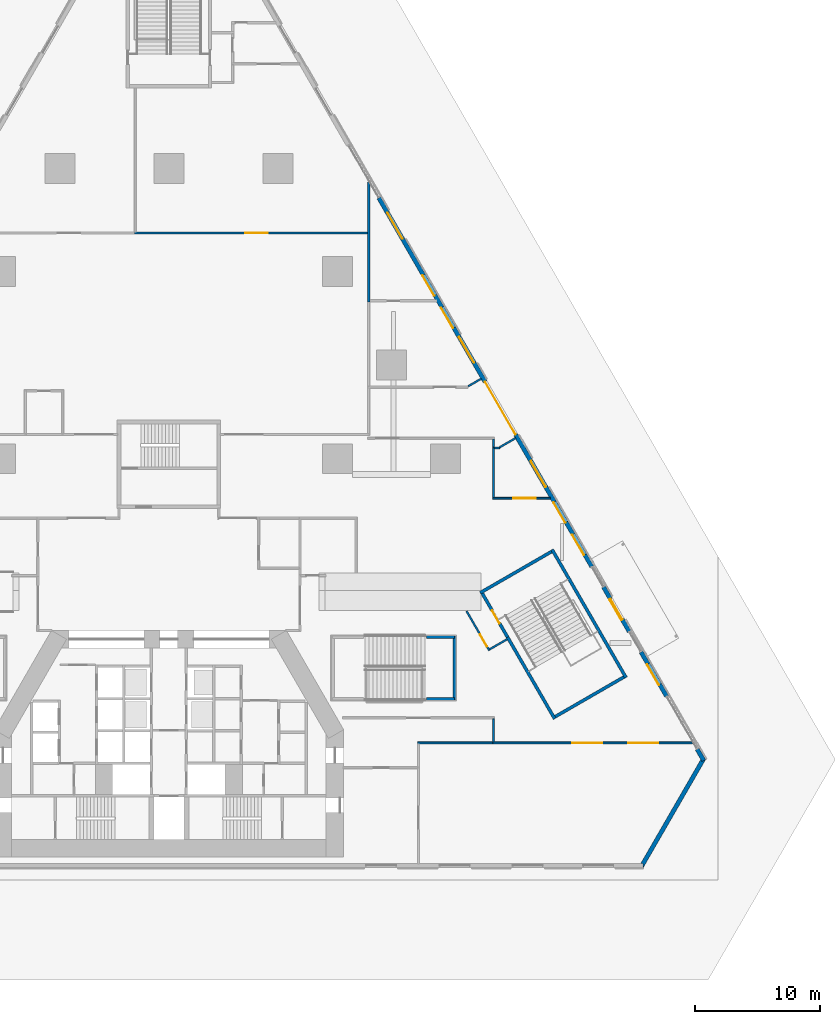
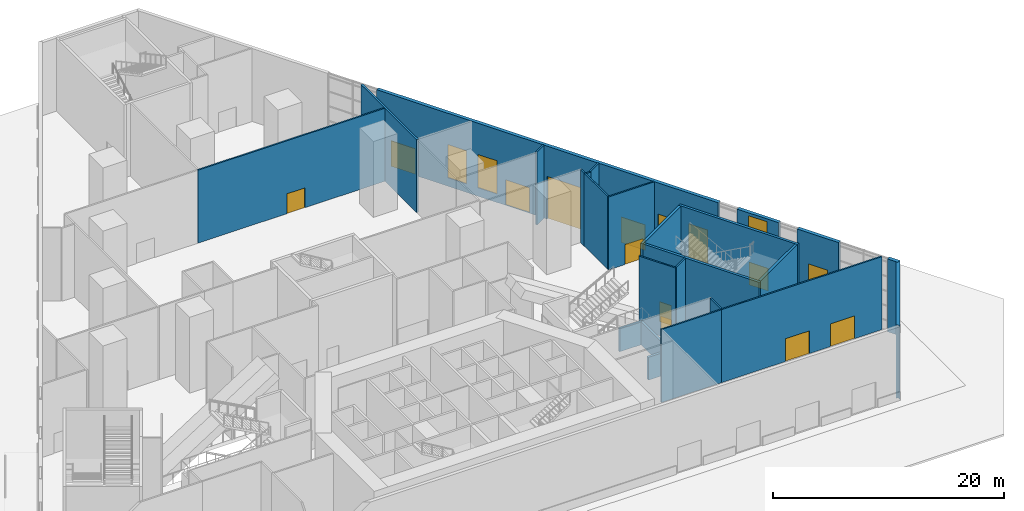
# One storey, part 17 of 24: 26 walls, 11 doors, 6 windows, 17 openings.
"""IFC4 building model written with IfcOpenShell, lengths in metres."""

from ifc_helpers import new_model, si_unit, direction, frame, frame_2d, origin, place, context, subcontext, project, spatial, polyline, rectangle, outline, extrude, material, layer, layer_set, type_object, element, fill, save


model = new_model("IFC4")

# Units and contexts
model_context = context("Model", 3, precision=1e-05, world=origin(), true_north=direction((0.0, 1.0)))
body_context = subcontext(model_context, "Body", "Model", "MODEL_VIEW")
ifc_project = project(units=[si_unit("LENGTHUNIT", "METRE"), si_unit("AREAUNIT", "SQUARE_METRE"), si_unit("VOLUMEUNIT", "CUBIC_METRE"), si_unit("PLANEANGLEUNIT", "RADIAN"), si_unit("MASSUNIT", "GRAM", prefix="KILO")], contexts=[model_context])

# Site, building, storey
site_placement = place(None, origin())
site = spatial("IfcSite", under=ifc_project, at=site_placement, CompositionType="ELEMENT")
building_placement = place(site_placement, origin())
building = spatial("IfcBuilding", under=site, at=building_placement, Name="Fogline Exchange Tower", CompositionType="ELEMENT")
storey_placement = place(building_placement, origin())
storey = spatial("IfcBuildingStorey", under=building, at=storey_placement, Name="L00", CompositionType="ELEMENT", Elevation=0.0)

# Walls
ifc_material_1 = material(Name="Brick masonry", Category="masonry")
ifc_layer_1 = layer(ifc_material_1, 0.340087890625)
ifc_layer_set_1 = layer_set([ifc_layer_1], Name="FW1")
wall_type_1 = type_object("IfcWallType", Name="FW1", PredefinedType="SOLIDWALL", material=ifc_layer_set_1)
wall_1_placement = place(storey_placement, origin())
element("IfcWall", 1, at=wall_1_placement, inside=storey, type_object=wall_type_1, Name="Brick wall L00 SE-c", PredefinedType="SOLIDWALL", context=body_context, shape_type="SweptSolid", body=[
    extrude(outline(polyline([(37.99951171875, -0.0009765625), (37.99951171875, 0.33935546875), (37.802734375, 0.33935546875), (42.607421875, 8.661376953125), (42.705810546875, 8.490966796875), (43.000732421875, 8.661376953125), (43.0009765625, 8.660888671875), (38.0, -0.001220703125), (37.99951171875, -0.0009765625)])), origin(), (0.0, 0.0, 1.0), 7.699951171875),
])
wall_2_placement = place(storey_placement, frame((42.852783203125, 8.5751953125, 0.0), z_axis=(0.0, 0.0, 1.0), x_axis=(-0.500062184469, 0.865989498588, 0.0)))
element("IfcWall", 2, at=wall_2_placement, inside=storey, type_object=wall_type_1, Name="Brick wall L00 E bay 1", PredefinedType="SOLIDWALL", context=body_context, shape_type="SweptSolid", body=[
    extrude(rectangle(XDim=1.057373046875, YDim=0.340087890625, at=frame_2d((0.52880859375, 0.0))), origin(), (0.0, 0.0, 1.0), 7.699951171875),
])

# Wall, opening, window
wall_3_placement = place(storey_placement, frame((39.881591796875, 13.7216796875, 0.0), z_axis=(0.0, 0.0, 1.0), x_axis=(-0.500018604663, 0.866014662111, 0.0)))
wall_3 = element("IfcWall", 3, at=wall_3_placement, inside=storey, type_object=wall_type_1, Name="Brick wall L00 E bay 2", PredefinedType="SOLIDWALL", context=body_context, shape_type="SweptSolid", body=[
    extrude(rectangle(XDim=4.114990234375, YDim=0.340087890625, at=frame_2d((2.0576171875, 0.0))), origin(), (0.0, 0.0, 1.0), 7.699951171875),
])
opening_1_placement = place(wall_3_placement, frame((1.114990234375, 0.0, 0.89990234375)))
opening_1 = element("IfcOpeningElement", 4, at=opening_1_placement, cuts=wall_3, Name="Opening W7", PredefinedType="OPENING", context=body_context, shape_type="SweptSolid", body=[
    extrude(rectangle(XDim=1.885009765625, YDim=3.5, at=frame_2d((0.9423828125, 1.75))), frame((0.0, 0.18017578125, 0.0), z_axis=(0.0, -1.0, 0.0), x_axis=(1.0, 0.0, 0.0)), (0.0, 0.0, 1.0), 0.360107421875),
])
ifc_material_2 = material(Name="Aluminium and glass", Category="aluminium")
window_type_1 = type_object("IfcWindowType", Name="W7", PartitioningType="SINGLE_PANEL", PredefinedType="WINDOW", material=ifc_material_2)
window_1_placement = place(opening_1_placement, origin())
window_1 = element("IfcWindow", 5, at=window_1_placement, inside=storey, type_object=window_type_1, Name="W7 W7", OverallHeight=3.5, OverallWidth=1.885009765625, PartitioningType="SINGLE_PANEL", PredefinedType="WINDOW", context=body_context, shape_type="SweptSolid", body=[
    extrude(rectangle(XDim=1.885009765625, YDim=3.5, at=frame_2d((0.9423828125, 1.75))), frame((0.0, 0.110107421875, 0.0), z_axis=(0.0, -1.0, 0.0), x_axis=(1.0, 0.0, 0.0)), (0.0, 0.0, 1.0), 0.06005859375),
])
fill(opening_1, window_1)

# Wall, openings, door, window
wall_4_placement = place(storey_placement, frame((36.881591796875, 18.917724609375, 0.0), z_axis=(0.0, 0.0, 1.0), x_axis=(-0.500018604663, 0.866014662111, 0.0)))
wall_4 = element("IfcWall", 6, at=wall_4_placement, inside=storey, type_object=wall_type_1, Name="Brick wall L00 E bay 3", PredefinedType="SOLIDWALL", context=body_context, shape_type="SweptSolid", body=[
    extrude(rectangle(XDim=4.114990234375, YDim=0.340087890625, at=frame_2d((2.0576171875, 0.0))), origin(), (0.0, 0.0, 1.0), 7.699951171875),
])
opening_2_placement = place(wall_4_placement, frame((1.114990234375, 0.0, 0.0)))
opening_2 = element("IfcOpeningElement", 7, at=opening_2_placement, cuts=wall_4, Name="Opening P00-E031", PredefinedType="OPENING", context=body_context, shape_type="SweptSolid", body=[
    extrude(rectangle(XDim=1.885009765625, YDim=2.39990234375, at=frame_2d((0.9423828125, 1.199951171875))), frame((0.0, 0.18017578125, 0.0), z_axis=(0.0, -1.0, 0.0), x_axis=(1.0, 0.0, 0.0)), (0.0, 0.0, 1.0), 0.360107421875),
])
opening_3_placement = place(wall_4_placement, frame((1.114990234375, 0.0, 2.60009765625)))
opening_3 = element("IfcOpeningElement", 8, at=opening_3_placement, cuts=wall_4, Name="Opening W8", PredefinedType="OPENING", context=body_context, shape_type="SweptSolid", body=[
    extrude(rectangle(XDim=1.885009765625, YDim=4.800048828125, at=frame_2d((0.9423828125, 2.39990234375))), frame((0.0, 0.18017578125, 0.0), z_axis=(0.0, -1.0, 0.0), x_axis=(1.0, 0.0, 0.0)), (0.0, 0.0, 1.0), 0.360107421875),
])
door_type_1 = type_object("IfcDoorType", Name="ED1", OperationType="SINGLE_SWING_LEFT", PredefinedType="DOOR", material=ifc_material_2)
door_1_placement = place(opening_2_placement, frame((1.885009765625, 0.0, 0.0), z_axis=(0.0, 0.0, 1.0), x_axis=(-1.0, 0.0, 0.0)))
door_1 = element("IfcDoor", 9, at=door_1_placement, inside=storey, type_object=door_type_1, Name="Entrance door ST-E", OperationType="DOUBLE_DOOR_SINGLE_SWING", OverallHeight=2.39990234375, OverallWidth=1.885009765625, PredefinedType="DOOR", context=body_context, shape_type="SweptSolid", body=[
    extrude(rectangle(XDim=1.885009765625, YDim=2.39990234375, at=frame_2d((0.9423828125, 1.199951171875))), frame((0.0, 0.02490234375, 0.0), z_axis=(0.0, -1.0, 0.0), x_axis=(1.0, 0.0, 0.0)), (0.0, 0.0, 1.0), 0.050048828125),
])
fill(opening_2, door_1)
window_type_2 = type_object("IfcWindowType", Name="W8", PartitioningType="SINGLE_PANEL", PredefinedType="WINDOW", material=ifc_material_2)
window_2_placement = place(opening_3_placement, origin())
window_2 = element("IfcWindow", 10, at=window_2_placement, inside=storey, type_object=window_type_2, Name="W8 W8", OverallHeight=4.800048828125, OverallWidth=1.885009765625, PartitioningType="SINGLE_PANEL", PredefinedType="WINDOW", context=body_context, shape_type="SweptSolid", body=[
    extrude(rectangle(XDim=1.885009765625, YDim=4.800048828125, at=frame_2d((0.9423828125, 2.39990234375))), frame((0.0, 0.110107421875, 0.0), z_axis=(0.0, -1.0, 0.0), x_axis=(1.0, 0.0, 0.0)), (0.0, 0.0, 1.0), 0.06005859375),
])
fill(opening_3, window_2)

# Wall, openings, doors, windows
wall_5_placement = place(storey_placement, frame((33.881591796875, 24.114013671875, 0.0), z_axis=(0.0, 0.0, 1.0), x_axis=(-0.500002868947, 0.866023747391, 0.0)))
wall_5 = element("IfcWall", 11, at=wall_5_placement, inside=storey, type_object=wall_type_1, Name="Brick wall L00 E bay 4", PredefinedType="SOLIDWALL", context=body_context, shape_type="SweptSolid", body=[
    extrude(rectangle(XDim=34.114990234375, YDim=0.340087890625, at=frame_2d((17.0576171875, 0.0))), origin(), (0.0, 0.0, 1.0), 7.699951171875),
])
opening_4_placement = place(wall_5_placement, frame((1.114990234375, 0.0, 0.89990234375)))
opening_4 = element("IfcOpeningElement", 12, at=opening_4_placement, cuts=wall_5, Name="Opening W7", PredefinedType="OPENING", context=body_context, shape_type="SweptSolid", body=[
    extrude(rectangle(XDim=1.885009765625, YDim=3.5, at=frame_2d((0.9423828125, 1.75))), frame((0.0, 0.18017578125, 0.0), z_axis=(0.0, -1.0, 0.0), x_axis=(1.0, 0.0, 0.0)), (0.0, 0.0, 1.0), 0.360107421875),
])
opening_5_placement = place(wall_5_placement, frame((4.114990234375, 0.0, 0.89990234375)))
opening_5 = element("IfcOpeningElement", 13, at=opening_5_placement, cuts=wall_5, Name="Opening W7", PredefinedType="OPENING", context=body_context, shape_type="SweptSolid", body=[
    extrude(rectangle(XDim=1.885009765625, YDim=3.5, at=frame_2d((0.9423828125, 1.75))), frame((0.0, 0.18017578125, 0.0), z_axis=(0.0, -1.0, 0.0), x_axis=(1.0, 0.0, 0.0)), (0.0, 0.0, 1.0), 0.360107421875),
])
opening_6_placement = place(wall_5_placement, frame((22.114990234375, 0.0, 0.89990234375)))
opening_6 = element("IfcOpeningElement", 14, at=opening_6_placement, cuts=wall_5, Name="Opening W7", PredefinedType="OPENING", context=body_context, shape_type="SweptSolid", body=[
    extrude(rectangle(XDim=1.885009765625, YDim=3.5, at=frame_2d((0.9423828125, 1.75))), frame((0.0, 0.18017578125, 0.0), z_axis=(0.0, -1.0, 0.0), x_axis=(1.0, 0.0, 0.0)), (0.0, 0.0, 1.0), 0.360107421875),
])
opening_7_placement = place(wall_5_placement, frame((25.114990234375, 0.0, 0.89990234375)))
opening_7 = element("IfcOpeningElement", 15, at=opening_7_placement, cuts=wall_5, Name="Opening W7", PredefinedType="OPENING", context=body_context, shape_type="SweptSolid", body=[
    extrude(rectangle(XDim=1.885009765625, YDim=3.5, at=frame_2d((0.9423828125, 1.75))), frame((0.0, 0.18017578125, 0.0), z_axis=(0.0, -1.0, 0.0), x_axis=(1.0, 0.0, 0.0)), (0.0, 0.0, 1.0), 0.360107421875),
])
opening_8_placement = place(wall_5_placement, frame((7.37841796875, 0.0, 0.0)))
opening_8 = element("IfcOpeningElement", 16, at=opening_8_placement, cuts=wall_5, Name="Opening P00-E032", PredefinedType="OPENING", context=body_context, shape_type="SweptSolid", body=[
    extrude(rectangle(XDim=2.39990234375, YDim=2.699951171875, at=frame_2d((1.199951171875, 1.35009765625))), frame((0.0, 0.18017578125, 0.0), z_axis=(0.0, -1.0, 0.0), x_axis=(1.0, 0.0, 0.0)), (0.0, 0.0, 1.0), 0.360107421875),
])
opening_9_placement = place(wall_5_placement, frame((18.857421875, 0.0, 0.0)))
opening_9 = element("IfcOpeningElement", 17, at=opening_9_placement, cuts=wall_5, Name="Opening P00-E033", PredefinedType="OPENING", context=body_context, shape_type="SweptSolid", body=[
    extrude(rectangle(XDim=2.39990234375, YDim=2.699951171875, at=frame_2d((1.199951171875, 1.35009765625))), frame((0.0, 0.18017578125, 0.0), z_axis=(0.0, -1.0, 0.0), x_axis=(1.0, 0.0, 0.0)), (0.0, 0.0, 1.0), 0.360107421875),
])
opening_10_placement = place(wall_5_placement, frame((30.33642578125, 0.0, 0.0)))
opening_10 = element("IfcOpeningElement", 18, at=opening_10_placement, cuts=wall_5, Name="Opening P00-E034", PredefinedType="OPENING", context=body_context, shape_type="SweptSolid", body=[
    extrude(rectangle(XDim=2.39990234375, YDim=2.699951171875, at=frame_2d((1.199951171875, 1.35009765625))), frame((0.0, 0.18017578125, 0.0), z_axis=(0.0, -1.0, 0.0), x_axis=(1.0, 0.0, 0.0)), (0.0, 0.0, 1.0), 0.360107421875),
])
opening_11_placement = place(wall_5_placement, frame((12.215087890625, 0.0, 0.0)))
opening_11 = element("IfcOpeningElement", 19, at=opening_11_placement, cuts=wall_5, Name="Opening P00-E035", PredefinedType="OPENING", context=body_context, shape_type="SweptSolid", body=[
    extrude(rectangle(XDim=4.885009765625, YDim=4.5, at=frame_2d((2.4423828125, 2.25))), frame((0.0, 0.18017578125, 0.0), z_axis=(0.0, -1.0, 0.0), x_axis=(1.0, 0.0, 0.0)), (0.0, 0.0, 1.0), 0.360107421875),
])
ifc_material_3 = material(Name="Steel Q235B", Category="steel")
door_type_2 = type_object("IfcDoorType", Name="ED3", OperationType="SINGLE_SWING_LEFT", PredefinedType="GATE", material=ifc_material_3)
door_2_placement = place(opening_11_placement, frame((4.885009765625, 0.0, 0.0), z_axis=(0.0, 0.0, 1.0), x_axis=(-1.0, 0.0, 0.0)))
door_2 = element("IfcDoor", 20, at=door_2_placement, inside=storey, type_object=door_type_2, Name="Loading door", OperationType="ROLLINGUP", OverallHeight=4.5, OverallWidth=4.885009765625, PredefinedType="GATE", context=body_context, shape_type="SweptSolid", body=[
    extrude(rectangle(XDim=4.885009765625, YDim=4.5, at=frame_2d((2.4423828125, 2.25))), frame((0.0, 0.02490234375, 0.0), z_axis=(0.0, -1.0, 0.0), x_axis=(1.0, 0.0, 0.0)), (0.0, 0.0, 1.0), 0.050048828125),
])
fill(opening_11, door_2)
door_type_3 = type_object("IfcDoorType", Name="ED6", OperationType="SINGLE_SWING_LEFT", PredefinedType="DOOR", material=ifc_material_2)
door_3_placement = place(opening_8_placement, frame((2.39990234375, 0.0, 0.0), z_axis=(0.0, 0.0, 1.0), x_axis=(-1.0, 0.0, 0.0)))
door_3 = element("IfcDoor", 21, at=door_3_placement, inside=storey, type_object=door_type_3, Name="Exit door L00 E", OperationType="DOUBLE_DOOR_SINGLE_SWING", OverallHeight=2.699951171875, OverallWidth=2.39990234375, PredefinedType="DOOR", context=body_context, shape_type="SweptSolid", body=[
    extrude(rectangle(XDim=2.39990234375, YDim=2.699951171875, at=frame_2d((1.199951171875, 1.35009765625))), frame((0.0, 0.02490234375, 0.0), z_axis=(0.0, -1.0, 0.0), x_axis=(1.0, 0.0, 0.0)), (0.0, 0.0, 1.0), 0.050048828125),
])
fill(opening_8, door_3)
door_4_placement = place(opening_9_placement, frame((2.39990234375, 0.0, 0.0), z_axis=(0.0, 0.0, 1.0), x_axis=(-1.0, 0.0, 0.0)))
door_4 = element("IfcDoor", 22, at=door_4_placement, inside=storey, type_object=door_type_3, Name="Exit door L00 E", OperationType="DOUBLE_DOOR_SINGLE_SWING", OverallHeight=2.699951171875, OverallWidth=2.39990234375, PredefinedType="DOOR", context=body_context, shape_type="SweptSolid", body=[
    extrude(rectangle(XDim=2.39990234375, YDim=2.699951171875, at=frame_2d((1.199951171875, 1.35009765625))), frame((0.0, 0.02490234375, 0.0), z_axis=(0.0, -1.0, 0.0), x_axis=(1.0, 0.0, 0.0)), (0.0, 0.0, 1.0), 0.050048828125),
])
fill(opening_9, door_4)
door_5_placement = place(opening_10_placement, frame((2.39990234375, 0.0, 0.0), z_axis=(0.0, 0.0, 1.0), x_axis=(-1.0, 0.0, 0.0)))
door_5 = element("IfcDoor", 23, at=door_5_placement, inside=storey, type_object=door_type_3, Name="Exit door L00 E", OperationType="DOUBLE_DOOR_SINGLE_SWING", OverallHeight=2.699951171875, OverallWidth=2.39990234375, PredefinedType="DOOR", context=body_context, shape_type="SweptSolid", body=[
    extrude(rectangle(XDim=2.39990234375, YDim=2.699951171875, at=frame_2d((1.199951171875, 1.35009765625))), frame((0.0, 0.02490234375, 0.0), z_axis=(0.0, -1.0, 0.0), x_axis=(1.0, 0.0, 0.0)), (0.0, 0.0, 1.0), 0.050048828125),
])
fill(opening_10, door_5)
window_3_placement = place(opening_4_placement, origin())
window_3 = element("IfcWindow", 24, at=window_3_placement, inside=storey, type_object=window_type_1, Name="W7 W7", OverallHeight=3.5, OverallWidth=1.885009765625, PartitioningType="SINGLE_PANEL", PredefinedType="WINDOW", context=body_context, shape_type="SweptSolid", body=[
    extrude(rectangle(XDim=1.885009765625, YDim=3.5, at=frame_2d((0.9423828125, 1.75))), frame((0.0, 0.110107421875, 0.0), z_axis=(0.0, -1.0, 0.0), x_axis=(1.0, 0.0, 0.0)), (0.0, 0.0, 1.0), 0.06005859375),
])
fill(opening_4, window_3)
window_4_placement = place(opening_5_placement, origin())
window_4 = element("IfcWindow", 25, at=window_4_placement, inside=storey, type_object=window_type_1, Name="W7 W7", OverallHeight=3.5, OverallWidth=1.885009765625, PartitioningType="SINGLE_PANEL", PredefinedType="WINDOW", context=body_context, shape_type="SweptSolid", body=[
    extrude(rectangle(XDim=1.885009765625, YDim=3.5, at=frame_2d((0.9423828125, 1.75))), frame((0.0, 0.110107421875, 0.0), z_axis=(0.0, -1.0, 0.0), x_axis=(1.0, 0.0, 0.0)), (0.0, 0.0, 1.0), 0.06005859375),
])
fill(opening_5, window_4)
window_5_placement = place(opening_6_placement, origin())
window_5 = element("IfcWindow", 26, at=window_5_placement, inside=storey, type_object=window_type_1, Name="W7 W7", OverallHeight=3.5, OverallWidth=1.885009765625, PartitioningType="SINGLE_PANEL", PredefinedType="WINDOW", context=body_context, shape_type="SweptSolid", body=[
    extrude(rectangle(XDim=1.885009765625, YDim=3.5, at=frame_2d((0.9423828125, 1.75))), frame((0.0, 0.110107421875, 0.0), z_axis=(0.0, -1.0, 0.0), x_axis=(1.0, 0.0, 0.0)), (0.0, 0.0, 1.0), 0.06005859375),
])
fill(opening_6, window_5)
window_6_placement = place(opening_7_placement, origin())
window_6 = element("IfcWindow", 27, at=window_6_placement, inside=storey, type_object=window_type_1, Name="W7 W7", OverallHeight=3.5, OverallWidth=1.885009765625, PartitioningType="SINGLE_PANEL", PredefinedType="WINDOW", context=body_context, shape_type="SweptSolid", body=[
    extrude(rectangle(XDim=1.885009765625, YDim=3.5, at=frame_2d((0.9423828125, 1.75))), frame((0.0, 0.110107421875, 0.0), z_axis=(0.0, -1.0, 0.0), x_axis=(1.0, 0.0, 0.0)), (0.0, 0.0, 1.0), 0.06005859375),
])
fill(opening_7, window_6)

# Wall
ifc_material_4 = material(Name="Plasterboard on steel stud", Category="steel")
ifc_layer_2 = layer(ifc_material_4, 0.14990234375)
ifc_layer_set_2 = layer_set([ifc_layer_2], Name="PP1")
wall_type_2 = type_object("IfcWallType", Name="PP1", PredefinedType="PARTITIONING", material=ifc_layer_set_2)
wall_6_placement = place(storey_placement, frame((19.925048828125, 10.0, 0.0), z_axis=(0.0, 0.0, 1.0), x_axis=(1.0, 0.0, 0.0)))
element("IfcWall", 28, at=wall_6_placement, inside=storey, type_object=wall_type_2, Name="PP1 partition", PredefinedType="PARTITIONING", context=body_context, shape_type="SweptSolid", body=[
    extrude(rectangle(XDim=6.0, YDim=0.14990234375, at=frame_2d((3.0, 0.0))), origin(), (0.0, 0.0, 1.0), 7.699951171875),
])

# Wall, openings, doors
wall_7_placement = place(storey_placement, frame((25.925048828125, 10.0, 0.0), z_axis=(0.0, 0.0, 1.0), x_axis=(1.0, 0.0, 0.0)))
wall_7 = element("IfcWall", 29, at=wall_7_placement, inside=storey, type_object=wall_type_2, Name="PP1 partition", PredefinedType="PARTITIONING", context=body_context, shape_type="SweptSolid", body=[
    extrude(rectangle(XDim=16.0185546875, YDim=0.14990234375, at=frame_2d((8.00927734375, 0.0))), origin(), (0.0, 0.0, 1.0), 7.699951171875),
])
opening_12_placement = place(wall_7_placement, frame((10.875, 0.0, 0.0)))
opening_12 = element("IfcOpeningElement", 30, at=opening_12_placement, cuts=wall_7, Name="Opening P00-D016", PredefinedType="OPENING", context=body_context, shape_type="SweptSolid", body=[
    extrude(rectangle(XDim=2.39990234375, YDim=2.39990234375, at=frame_2d((1.199951171875, 1.199951171875))), frame((0.0, 0.0849609375, 0.0), z_axis=(0.0, -1.0, 0.0), x_axis=(1.0, 0.0, 0.0)), (0.0, 0.0, 1.0), 0.169921875),
])
opening_13_placement = place(wall_7_placement, frame((6.375, 0.0, 0.0)))
opening_13 = element("IfcOpeningElement", 31, at=opening_13_placement, cuts=wall_7, Name="Opening P00-D017", PredefinedType="OPENING", context=body_context, shape_type="SweptSolid", body=[
    extrude(rectangle(XDim=2.39990234375, YDim=2.39990234375, at=frame_2d((1.199951171875, 1.199951171875))), frame((0.0, 0.0849609375, 0.0), z_axis=(0.0, -1.0, 0.0), x_axis=(1.0, 0.0, 0.0)), (0.0, 0.0, 1.0), 0.169921875),
])
ifc_material_5 = material(Name="Glass", Category="glass")
door_type_4 = type_object("IfcDoorType", Name="PD4", OperationType="DOUBLE_DOOR_SLIDING", PredefinedType="DOOR", material=ifc_material_5)
door_6_placement = place(opening_12_placement, origin())
door_6 = element("IfcDoor", 32, at=door_6_placement, inside=storey, type_object=door_type_4, Name="P00-D016", OperationType="DOUBLE_DOOR_SLIDING", OverallHeight=2.39990234375, OverallWidth=2.39990234375, PredefinedType="DOOR", context=body_context, shape_type="SweptSolid", body=[
    extrude(rectangle(XDim=2.39990234375, YDim=2.39990234375, at=frame_2d((1.199951171875, 1.199951171875))), frame((0.0, 0.02490234375, 0.0), z_axis=(0.0, -1.0, 0.0), x_axis=(1.0, 0.0, 0.0)), (0.0, 0.0, 1.0), 0.050048828125),
])
fill(opening_12, door_6)
door_7_placement = place(opening_13_placement, origin())
door_7 = element("IfcDoor", 33, at=door_7_placement, inside=storey, type_object=door_type_4, Name="P00-D017", OperationType="DOUBLE_DOOR_SLIDING", OverallHeight=2.39990234375, OverallWidth=2.39990234375, PredefinedType="DOOR", context=body_context, shape_type="SweptSolid", body=[
    extrude(rectangle(XDim=2.39990234375, YDim=2.39990234375, at=frame_2d((1.199951171875, 1.199951171875))), frame((0.0, 0.02490234375, 0.0), z_axis=(0.0, -1.0, 0.0), x_axis=(1.0, 0.0, 0.0)), (0.0, 0.0, 1.0), 0.050048828125),
])
fill(opening_13, door_7)

# Wall
wall_8_placement = place(storey_placement, frame((26.0, 11.925048828125, 0.0), z_axis=(0.0, 0.0, 1.0), x_axis=(0.0, -1.0, 0.0)))
element("IfcWall", 34, at=wall_8_placement, inside=storey, type_object=wall_type_2, Name="PP1 partition", PredefinedType="PARTITIONING", context=body_context, shape_type="SweptSolid", body=[
    extrude(rectangle(XDim=1.85009765625, YDim=0.14990234375, at=frame_2d((0.925048828125, 0.0))), origin(), (0.0, 0.0, 1.0), 7.699951171875),
])

# Wall, opening, door
wall_9_placement = place(storey_placement, frame((25.673095703125, 17.391845703125, 0.0), z_axis=(0.0, 0.0, 1.0), x_axis=(-0.499958946799, 0.866049104564, 0.0)))
wall_9 = element("IfcWall", 35, at=wall_9_placement, inside=storey, type_object=wall_type_2, Name="PP1 partition", PredefinedType="PARTITIONING", context=body_context, shape_type="SweptSolid", body=[
    extrude(rectangle(XDim=3.663818359375, YDim=0.14990234375, at=frame_2d((1.83203125, 0.0))), origin(), (0.0, 0.0, 1.0), 7.699951171875),
])
opening_14_placement = place(wall_9_placement, frame((0.3818359375, 0.0, 0.0)))
opening_14 = element("IfcOpeningElement", 36, at=opening_14_placement, cuts=wall_9, Name="Opening P00-D005", PredefinedType="OPENING", context=body_context, shape_type="SweptSolid", body=[
    extrude(rectangle(XDim=1.10009765625, YDim=2.10009765625, at=frame_2d((0.550048828125, 1.050048828125))), frame((0.0, 0.0849609375, 0.0), z_axis=(0.0, -1.0, 0.0), x_axis=(1.0, 0.0, 0.0)), (0.0, 0.0, 1.0), 0.169921875),
])
door_type_5 = type_object("IfcDoorType", Name="PD5", OperationType="SINGLE_SWING_LEFT", PredefinedType="DOOR", material=ifc_material_3)
door_8_placement = place(opening_14_placement, origin())
door_8 = element("IfcDoor", 37, at=door_8_placement, inside=storey, type_object=door_type_5, Name="P00-D005", OperationType="SINGLE_SWING_LEFT", OverallHeight=2.10009765625, OverallWidth=1.10009765625, PredefinedType="DOOR", context=body_context, shape_type="SweptSolid", body=[
    extrude(rectangle(XDim=1.10009765625, YDim=2.10009765625, at=frame_2d((0.550048828125, 1.050048828125))), frame((0.0, 0.02490234375, 0.0), z_axis=(0.0, -1.0, 0.0), x_axis=(1.0, 0.0, 0.0)), (0.0, 0.0, 1.0), 0.050048828125),
])
fill(opening_14, door_8)

# Wall
wall_10_placement = place(storey_placement, frame((27.086669921875, 18.29443359375, 0.0), z_axis=(0.0, 0.0, 1.0), x_axis=(-0.866066190972, -0.499929347863, 0.0)))
element("IfcWall", 38, at=wall_10_placement, inside=storey, type_object=wall_type_2, Name="PP1 partition", PredefinedType="PARTITIONING", context=body_context, shape_type="SweptSolid", body=[
    extrude(rectangle(XDim=1.600341796875, YDim=0.14990234375, at=frame_2d((0.80029296875, 0.0))), origin(), (0.0, 0.0, 1.0), 7.699951171875),
])

# Wall, opening, door
wall_11_placement = place(storey_placement, frame((30.55810546875, 29.60009765625, 0.0), z_axis=(0.0, 0.0, 1.0), x_axis=(-1.0, 0.0, 0.0)))
wall_11 = element("IfcWall", 39, at=wall_11_placement, inside=storey, type_object=wall_type_2, Name="PP1 partition", PredefinedType="PARTITIONING", context=body_context, shape_type="SweptSolid", body=[
    extrude(rectangle(XDim=4.633056640625, YDim=0.14990234375, at=frame_2d((2.31640625, 0.0))), origin(), (0.0, 0.0, 1.0), 7.699951171875),
])
opening_15_placement = place(wall_11_placement, frame((1.158203125, 0.0, 0.0)))
opening_15 = element("IfcOpeningElement", 40, at=opening_15_placement, cuts=wall_11, Name="Opening P00-D037", PredefinedType="OPENING", context=body_context, shape_type="SweptSolid", body=[
    extrude(rectangle(XDim=1.800048828125, YDim=2.10009765625, at=frame_2d((0.89990234375, 1.050048828125))), frame((0.0, 0.0849609375, 0.0), z_axis=(0.0, -1.0, 0.0), x_axis=(1.0, 0.0, 0.0)), (0.0, 0.0, 1.0), 0.169921875),
])
ifc_material_6 = material(Name="Timber", Category="wood")
door_type_6 = type_object("IfcDoorType", Name="PD3", OperationType="DOUBLE_DOOR_SINGLE_SWING", PredefinedType="DOOR", material=ifc_material_6)
door_9_placement = place(opening_15_placement, frame((1.800048828125, 0.0, 0.0), z_axis=(0.0, 0.0, 1.0), x_axis=(-1.0, 0.0, 0.0)))
door_9 = element("IfcDoor", 41, at=door_9_placement, inside=storey, type_object=door_type_6, Name="P00-D037", OperationType="DOUBLE_DOOR_SINGLE_SWING", OverallHeight=2.10009765625, OverallWidth=1.800048828125, PredefinedType="DOOR", context=body_context, shape_type="SweptSolid", body=[
    extrude(rectangle(XDim=1.800048828125, YDim=2.10009765625, at=frame_2d((0.89990234375, 1.050048828125))), frame((0.0, 0.02490234375, 0.0), z_axis=(0.0, -1.0, 0.0), x_axis=(1.0, 0.0, 0.0)), (0.0, 0.0, 1.0), 0.050048828125),
])
fill(opening_15, door_9)

# Walls
wall_12_placement = place(storey_placement, frame((26.0, 29.675048828125, 0.0), z_axis=(0.0, 0.0, 1.0), x_axis=(0.0, 1.0, 0.0)))
element("IfcWall", 42, at=wall_12_placement, inside=storey, type_object=wall_type_2, Name="PP1 partition", PredefinedType="PARTITIONING", context=body_context, shape_type="SweptSolid", body=[
    extrude(rectangle(XDim=4.02001953125, YDim=0.14990234375, at=frame_2d((2.010009765625, 0.0))), origin(), (0.0, 0.0, 1.0), 7.699951171875),
])
wall_13_placement = place(storey_placement, frame((26.49951171875, 33.6201171875, 0.0), z_axis=(0.0, 0.0, 1.0), x_axis=(-1.0, 0.0, 0.0)))
element("IfcWall", 43, at=wall_13_placement, inside=storey, type_object=wall_type_2, Name="PP1 partition", PredefinedType="PARTITIONING", context=body_context, shape_type="SweptSolid", body=[
    extrude(rectangle(XDim=0.424560546875, YDim=0.14990234375, at=frame_2d((0.21240234375, 0.0))), origin(), (0.0, 0.0, 1.0), 7.699951171875),
])
wall_14_placement = place(storey_placement, frame((26.0, 33.695068359375, 0.0), z_axis=(0.0, 0.0, 1.0), x_axis=(0.0, 1.0, 0.0)))
element("IfcWall", 44, at=wall_14_placement, inside=storey, type_object=wall_type_2, Name="PP1 partition", PredefinedType="PARTITIONING", context=body_context, shape_type="SweptSolid", body=[
    extrude(rectangle(XDim=0.6298828125, YDim=0.14990234375, at=frame_2d((0.31494140625, 0.0))), origin(), (0.0, 0.0, 1.0), 7.699951171875),
])
wall_15_placement = place(storey_placement, frame((27.787109375, 34.419677734375, 0.0), z_axis=(0.0, 0.0, 1.0), x_axis=(-0.866290315031, -0.499540879291, 0.0)))
element("IfcWall", 45, at=wall_15_placement, inside=storey, type_object=wall_type_2, Name="PP1 partition", PredefinedType="PARTITIONING", context=body_context, shape_type="SweptSolid", body=[
    extrude(rectangle(XDim=1.474609375, YDim=0.14990234375, at=frame_2d((0.7373046875, 0.0))), origin(), (0.0, 0.0, 1.0), 7.699951171875),
])
wall_16_placement = place(storey_placement, frame((23.969482421875, 38.5634765625, 0.0), z_axis=(0.0, 0.0, 1.0), x_axis=(0.865773664766, 0.500435771501, 0.0)))
element("IfcWall", 46, at=wall_16_placement, inside=storey, type_object=wall_type_2, Name="PP1 partition", PredefinedType="PARTITIONING", context=body_context, shape_type="SweptSolid", body=[
    extrude(rectangle(XDim=1.234375, YDim=0.14990234375, at=frame_2d((0.6171875, 0.0))), origin(), (0.0, 0.0, 1.0), 7.699951171875),
])

# Wall, opening, door
wall_17_placement = place(storey_placement, frame((-2.77490234375, 50.85009765625, 0.0), z_axis=(0.0, 0.0, 1.0), x_axis=(1.0, 0.0, 0.0)))
wall_17 = element("IfcWall", 47, at=wall_17_placement, inside=storey, type_object=wall_type_2, Name="PP1 partition", PredefinedType="PARTITIONING", context=body_context, shape_type="SweptSolid", body=[
    extrude(rectangle(XDim=18.6748046875, YDim=0.14990234375, at=frame_2d((9.33740234375, 0.0))), origin(), (0.0, 0.0, 1.0), 7.699951171875),
])
opening_16_placement = place(wall_17_placement, frame((8.875, 0.0, 0.0)))
opening_16 = element("IfcOpeningElement", 48, at=opening_16_placement, cuts=wall_17, Name="Opening P00-D030", PredefinedType="OPENING", context=body_context, shape_type="SweptSolid", body=[
    extrude(rectangle(XDim=1.800048828125, YDim=2.10009765625, at=frame_2d((0.89990234375, 1.050048828125))), frame((0.0, 0.0849609375, 0.0), z_axis=(0.0, -1.0, 0.0), x_axis=(1.0, 0.0, 0.0)), (0.0, 0.0, 1.0), 0.169921875),
])
door_10_placement = place(opening_16_placement, origin())
door_10 = element("IfcDoor", 49, at=door_10_placement, inside=storey, type_object=door_type_6, Name="P00-D030", OperationType="DOUBLE_DOOR_SINGLE_SWING", OverallHeight=2.10009765625, OverallWidth=1.800048828125, PredefinedType="DOOR", context=body_context, shape_type="SweptSolid", body=[
    extrude(rectangle(XDim=1.800048828125, YDim=2.10009765625, at=frame_2d((0.89990234375, 1.050048828125))), frame((0.0, 0.02490234375, 0.0), z_axis=(0.0, -1.0, 0.0), x_axis=(1.0, 0.0, 0.0)), (0.0, 0.0, 1.0), 0.050048828125),
])
fill(opening_16, door_10)

# Walls
ifc_material_7 = material(Name="Concrete block masonry", Category="masonry")
ifc_layer_3 = layer(ifc_material_7, 0.199951171875)
ifc_layer_set_3 = layer_set([ifc_layer_3], Name="PP2")
wall_type_3 = type_object("IfcWallType", Name="PP2", PredefinedType="PARTITIONING", material=ifc_layer_set_3)
wall_18_placement = place(storey_placement, frame((16.0, 45.300048828125, 0.0), z_axis=(0.0, 0.0, 1.0), x_axis=(0.0, 1.0, 0.0)))
element("IfcWall", 50, at=wall_18_placement, inside=storey, type_object=wall_type_3, Name="PP2 partition", PredefinedType="PARTITIONING", context=body_context, shape_type="SweptSolid", body=[
    extrude(rectangle(XDim=9.635498046875, YDim=0.199951171875, at=frame_2d((4.81787109375, 0.0))), origin(), (0.0, 0.0, 1.0), 7.699951171875),
])
ifc_material_8 = material(Name="Concrete C40", Category="concrete")
ifc_layer_4 = layer(ifc_material_8, 0.25)
ifc_layer_set_4 = layer_set([ifc_layer_4], Name="PP3")
wall_type_4 = type_object("IfcWallType", Name="PP3", PredefinedType="SOLIDWALL", material=ifc_layer_set_4)
wall_19_placement = place(storey_placement, frame((30.906982421875, 11.926513671875, 0.0), z_axis=(0.0, 0.0, 1.0), x_axis=(-0.499985572004, 0.866033733632, 0.0)))
element("IfcWall", 51, at=wall_19_placement, inside=storey, type_object=wall_type_4, Name="PP3 bearing wall", PredefinedType="SOLIDWALL", context=body_context, shape_type="SweptSolid", body=[
    extrude(rectangle(XDim=7.550048828125, YDim=0.25, at=frame_2d((3.77490234375, 0.0))), origin(), (0.0, 0.0, 1.0), 7.699951171875),
])
wall_20_placement = place(storey_placement, frame((36.452392578125, 15.2724609375, 0.0), z_axis=(0.0, 0.0, 1.0), x_axis=(-0.866041542834, -0.499972045304, 0.0)))
element("IfcWall", 52, at=wall_20_placement, inside=storey, type_object=wall_type_4, Name="PP3 bearing wall", PredefinedType="SOLIDWALL", context=body_context, shape_type="SweptSolid", body=[
    extrude(rectangle(XDim=6.350341796875, YDim=0.25, at=frame_2d((3.17529296875, 0.0))), origin(), (0.0, 0.0, 1.0), 7.699951171875),
])

# Wall, opening, door
wall_21_placement = place(storey_placement, frame((27.1318359375, 18.46533203125, 0.0), z_axis=(0.0, 0.0, 1.0), x_axis=(-0.499971214291, 0.866042022584, 0.0)))
wall_21 = element("IfcWall", 53, at=wall_21_placement, inside=storey, type_object=wall_type_4, Name="PP3 bearing wall", PredefinedType="SOLIDWALL", context=body_context, shape_type="SweptSolid", body=[
    extrude(rectangle(XDim=4.049560546875, YDim=0.25, at=frame_2d((2.02490234375, 0.0))), origin(), (0.0, 0.0, 1.0), 7.699951171875),
])
opening_17_placement = place(wall_21_placement, frame((1.274658203125, 0.0, 0.0)))
opening_17 = element("IfcOpeningElement", 54, at=opening_17_placement, cuts=wall_21, Name="Opening P00-D004", PredefinedType="OPENING", context=body_context, shape_type="SweptSolid", body=[
    extrude(rectangle(XDim=1.199951171875, YDim=2.10009765625, at=frame_2d((0.60009765625, 1.050048828125))), frame((0.0, 0.135009765625, 0.0), z_axis=(0.0, -1.0, 0.0), x_axis=(1.0, 0.0, 0.0)), (0.0, 0.0, 1.0), 0.27001953125),
])
door_type_7 = type_object("IfcDoorType", Name="PD7", OperationType="SINGLE_SWING_LEFT", PredefinedType="DOOR", material=ifc_material_3)
door_11_placement = place(opening_17_placement, origin())
door_11 = element("IfcDoor", 55, at=door_11_placement, inside=storey, type_object=door_type_7, Name="P00-D004", OperationType="SINGLE_SWING_LEFT", OverallHeight=2.10009765625, OverallWidth=1.199951171875, PredefinedType="DOOR", context=body_context, shape_type="SweptSolid", body=[
    extrude(rectangle(XDim=1.199951171875, YDim=2.10009765625, at=frame_2d((0.60009765625, 1.050048828125))), frame((0.0, 0.02490234375, 0.0), z_axis=(0.0, -1.0, 0.0), x_axis=(1.0, 0.0, 0.0)), (0.0, 0.0, 1.0), 0.050048828125),
])
fill(opening_17, door_11)

# Walls
wall_22_placement = place(storey_placement, frame((24.936279296875, 22.018310546875, 0.0), z_axis=(0.0, 0.0, 1.0), x_axis=(0.866040211805, 0.499974350878, 0.0)))
element("IfcWall", 56, at=wall_22_placement, inside=storey, type_object=wall_type_4, Name="PP3 bearing wall", PredefinedType="SOLIDWALL", context=body_context, shape_type="SweptSolid", body=[
    extrude(rectangle(XDim=6.599853515625, YDim=0.25, at=frame_2d((3.2998046875, 0.0))), origin(), (0.0, 0.0, 1.0), 7.699951171875),
])
wall_23_placement = place(storey_placement, frame((30.697998046875, 25.489013671875, 0.0), z_axis=(0.0, 0.0, 1.0), x_axis=(0.499976885332, -0.866038748633, 0.0)))
element("IfcWall", 57, at=wall_23_placement, inside=storey, type_object=wall_type_4, Name="PP3 bearing wall", PredefinedType="SOLIDWALL", context=body_context, shape_type="SweptSolid", body=[
    extrude(rectangle(XDim=11.85009765625, YDim=0.25, at=frame_2d((5.925048828125, 0.0))), origin(), (0.0, 0.0, 1.0), 7.699951171875),
])
ifc_layer_5 = layer(ifc_material_8, 0.25)
ifc_layer_set_5 = layer_set([ifc_layer_5], Name="PP6")
wall_type_5 = type_object("IfcWallType", Name="PP6", PredefinedType="SOLIDWALL", material=ifc_layer_set_5)
wall_24_placement = place(storey_placement, frame((22.875, 13.449951171875, 0.0), z_axis=(0.0, 0.0, 1.0), x_axis=(0.0, 1.0, 0.0)))
element("IfcWall", 58, at=wall_24_placement, inside=storey, type_object=wall_type_5, Name="PP6 bearing wall", PredefinedType="SOLIDWALL", context=body_context, shape_type="SweptSolid", body=[
    extrude(rectangle(XDim=5.10009765625, YDim=0.25, at=frame_2d((2.550048828125, 0.0))), origin(), (0.0, 0.0, 1.0), 2.40869140625),
])
for number, where, z_axis, x_axis, name in (
    (59, (22.875, 13.52490234375, 0.0), (0.0, 0.0, 1.0), (-1.0, 0.0, 0.0), "PP6 bearing wall"),
    (60, (22.875, 18.47509765625, 0.0), (0.0, 0.0, 1.0), (-1.0, 0.0, 0.0), "PP6 bearing wall"),
):
    element("IfcWall", number, at=place(storey_placement, frame(where, z_axis=z_axis, x_axis=x_axis)), inside=storey, type_object=wall_type_5, Name=name, PredefinedType="SOLIDWALL", context=body_context, shape_type="SweptSolid", body=[
        extrude(rectangle(XDim=2.25, YDim=0.25, at=frame_2d((1.125, 0.0))), origin(), (0.0, 0.0, 1.0), 2.40869140625),
    ])

save(model, "model.ifc")
